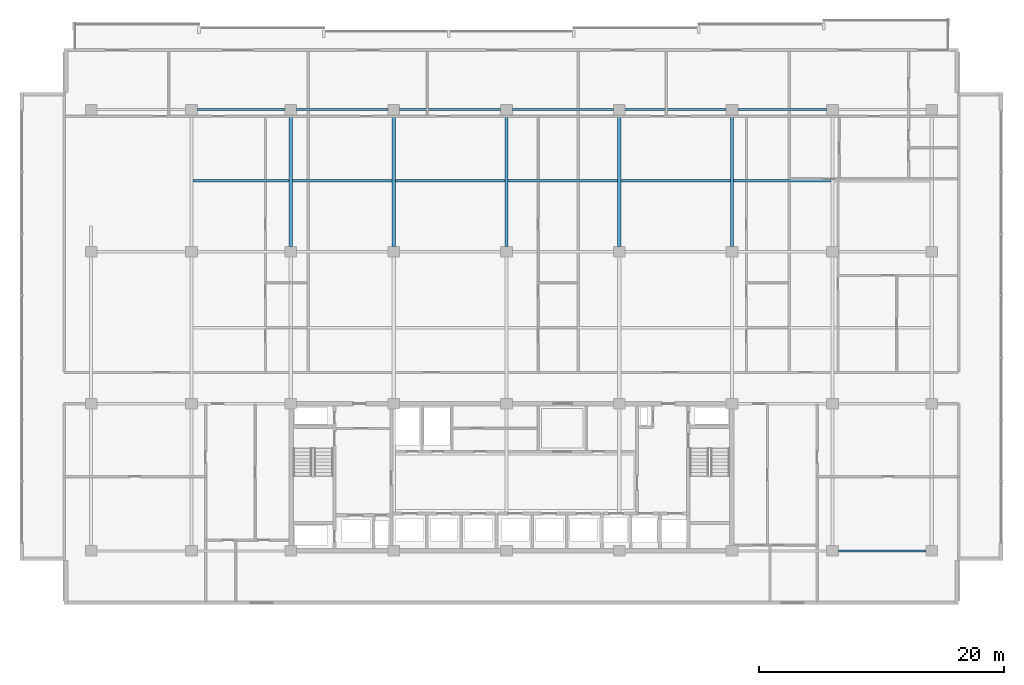
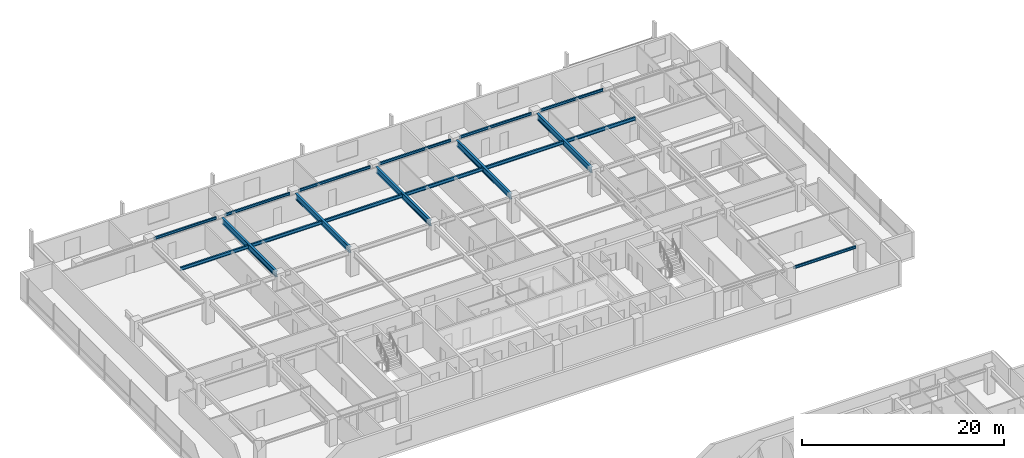
# One storey, part 15 of 38: 18 beams.
"""IFC4 building model written with IfcOpenShell, lengths in metres."""

from ifc_helpers import new_model, si_unit, direction, frame, origin, origin_2d, place, context, subcontext, project, spatial, i_section, extrude, material, material_profile, profile_set, type_object, element, save


model = new_model("IFC4")

# Units and contexts
model_context = context("Model", 3, precision=1e-05, world=origin(), true_north=direction((0.0, 1.0)))
body_context = subcontext(model_context, "Body", "Model", "MODEL_VIEW")
ifc_project = project(units=[si_unit("LENGTHUNIT", "METRE"), si_unit("AREAUNIT", "SQUARE_METRE"), si_unit("VOLUMEUNIT", "CUBIC_METRE"), si_unit("PLANEANGLEUNIT", "RADIAN"), si_unit("MASSUNIT", "GRAM", prefix="KILO")], contexts=[model_context])

# Site, building, storey
site_placement = place(None, origin())
site = spatial("IfcSite", under=ifc_project, at=site_placement, CompositionType="ELEMENT")
building_placement = place(site_placement, origin())
building = spatial("IfcBuilding", under=site, at=building_placement, Name="Korimba Cascade Residences", CompositionType="ELEMENT")
storey_placement = place(building_placement, frame((0.0, 0.0, 93.800048828125)))
storey = spatial("IfcBuildingStorey", under=building, at=storey_placement, Name="L26", CompositionType="ELEMENT", Elevation=93.800048828125)

# Beams
ifc_material = material(Name="Steel S355", Category="steel")
ifc_material_profile_1 = material_profile(ifc_material, i_section(OverallWidth=0.165771484375, OverallDepth=0.306640625, WebThickness=0.006591796875, FlangeThickness=0.01171875, FilletRadius=0.0087890625, at=origin_2d()), Name="Steel S355")
ifc_profile_set_1 = profile_set([ifc_material_profile_1], Name="Steel S355")
beam_type_1 = type_object("IfcBeamType", Name="BM-STL-UB305", PredefinedType="SPANDREL", material=ifc_profile_set_1)
beam_1_placement = place(storey_placement, frame((120.77490234375, 55.199951171875, 2.816650390625), z_axis=(1.0, 0.0, 0.0), x_axis=(0.0, 1.0, 0.0)))
element("IfcBeam", 1, at=beam_1_placement, inside=storey, type_object=beam_type_1, Name="L26 T1 E-W Girder Y1 Bay 8", PredefinedType="SPANDREL", context=body_context, shape_type="SweptSolid", body=[
    extrude(i_section(OverallWidth=0.165771484375, OverallDepth=0.306640625, WebThickness=0.006591796875, FlangeThickness=0.01171875, FilletRadius=0.0087890625, at=origin_2d()), origin(), (0.0, 0.0, 1.0), 7.150146484375),
])
beam_2_placement = place(storey_placement, frame((68.47509765625, 91.199951171875, 2.816650390625), z_axis=(1.0, 0.0, 0.0), x_axis=(0.0, 1.0, 0.0)))
element("IfcBeam", 2, at=beam_2_placement, inside=storey, type_object=beam_type_1, Name="L26 T1 E-W Girder Y4 Bay 2", PredefinedType="SPANDREL", context=body_context, shape_type="SweptSolid", body=[
    extrude(i_section(OverallWidth=0.165771484375, OverallDepth=0.306640625, WebThickness=0.006591796875, FlangeThickness=0.01171875, FilletRadius=0.0087890625, at=origin_2d()), origin(), (0.0, 0.0, 1.0), 7.14990234375),
])
beam_3_placement = place(storey_placement, frame((76.574951171875, 91.199951171875, 2.816650390625), z_axis=(1.0, 0.0, 0.0), x_axis=(0.0, 1.0, 0.0)))
element("IfcBeam", 3, at=beam_3_placement, inside=storey, type_object=beam_type_1, Name="L26 T1 E-W Girder Y4 Bay 3", PredefinedType="SPANDREL", context=body_context, shape_type="SweptSolid", body=[
    extrude(i_section(OverallWidth=0.165771484375, OverallDepth=0.306640625, WebThickness=0.006591796875, FlangeThickness=0.01171875, FilletRadius=0.0087890625, at=origin_2d()), origin(), (0.0, 0.0, 1.0), 7.449951171875),
])
for number, where, z_axis, x_axis, name in (
    (4, (84.97509765625, 91.199951171875, 2.816650390625), (1.0, 0.0, 0.0), (0.0, 1.0, 0.0), "L26 T1 E-W Girder Y4 Bay 4"),
    (5, (94.175048828125, 91.199951171875, 2.816650390625), (1.0, 0.0, 0.0), (0.0, 1.0, 0.0), "L26 T1 E-W Girder Y4 Bay 5"),
    (6, (103.375, 91.199951171875, 2.816650390625), (1.0, 0.0, 0.0), (0.0, 1.0, 0.0), "L26 T1 E-W Girder Y4 Bay 6"),
):
    element("IfcBeam", number, at=place(storey_placement, frame(where, z_axis=z_axis, x_axis=x_axis)), inside=storey, type_object=beam_type_1, Name=name, PredefinedType="SPANDREL", context=body_context, shape_type="SweptSolid", body=[
        extrude(i_section(OverallWidth=0.165771484375, OverallDepth=0.306640625, WebThickness=0.006591796875, FlangeThickness=0.01171875, FilletRadius=0.0087890625, at=origin_2d()), origin(), (0.0, 0.0, 1.0), 8.25),
    ])
beam_4_placement = place(storey_placement, frame((112.574951171875, 91.199951171875, 2.816650390625), z_axis=(1.0, 0.0, 0.0), x_axis=(0.0, 1.0, 0.0)))
element("IfcBeam", 7, at=beam_4_placement, inside=storey, type_object=beam_type_1, Name="L26 T1 E-W Girder Y4 Bay 7", PredefinedType="SPANDREL", context=body_context, shape_type="SweptSolid", body=[
    extrude(i_section(OverallWidth=0.165771484375, OverallDepth=0.306640625, WebThickness=0.006591796875, FlangeThickness=0.01171875, FilletRadius=0.0087890625, at=origin_2d()), origin(), (0.0, 0.0, 1.0), 7.25),
])
ifc_material_profile_2 = material_profile(ifc_material, i_section(OverallWidth=0.1787109375, OverallDepth=0.409423828125, WebThickness=0.0087890625, FlangeThickness=0.014404296875, FilletRadius=0.01025390625, at=origin_2d()), Name="Steel S355")
ifc_profile_set_2 = profile_set([ifc_material_profile_2], Name="Steel S355")
beam_type_2 = type_object("IfcBeamType", Name="BM-STL-UB406", PredefinedType="JOIST", material=ifc_profile_set_2)
beam_5_placement = place(storey_placement, frame((68.1279296875, 85.39990234375, 2.76513671875), z_axis=(1.0, 0.0, 0.0), x_axis=(0.0, 1.0, 0.0)))
element("IfcBeam", 8, at=beam_5_placement, inside=storey, type_object=beam_type_2, Name="L26 T1 Floor Joist 2.2", PredefinedType="JOIST", context=body_context, shape_type="SweptSolid", body=[
    extrude(i_section(OverallWidth=0.1787109375, OverallDepth=0.409423828125, WebThickness=0.0087890625, FlangeThickness=0.014404296875, FilletRadius=0.01025390625, at=origin_2d()), origin(), (0.0, 0.0, 1.0), 7.84423828125),
])
beam_6_placement = place(storey_placement, frame((76.227783203125, 85.39990234375, 2.76513671875), z_axis=(1.0, 0.0, 0.0), x_axis=(0.0, 1.0, 0.0)))
element("IfcBeam", 9, at=beam_6_placement, inside=storey, type_object=beam_type_2, Name="L26 T1 Floor Joist 2.3", PredefinedType="JOIST", context=body_context, shape_type="SweptSolid", body=[
    extrude(i_section(OverallWidth=0.1787109375, OverallDepth=0.409423828125, WebThickness=0.0087890625, FlangeThickness=0.014404296875, FilletRadius=0.01025390625, at=origin_2d()), origin(), (0.0, 0.0, 1.0), 8.144287109375),
])
beam_7_placement = place(storey_placement, frame((84.6279296875, 85.39990234375, 2.76513671875), z_axis=(1.0, 0.0, 0.0), x_axis=(0.0, 1.0, 0.0)))
element("IfcBeam", 10, at=beam_7_placement, inside=storey, type_object=beam_type_2, Name="L26 T1 Floor Joist 2.4", PredefinedType="JOIST", context=body_context, shape_type="SweptSolid", body=[
    extrude(i_section(OverallWidth=0.1787109375, OverallDepth=0.409423828125, WebThickness=0.0087890625, FlangeThickness=0.014404296875, FilletRadius=0.01025390625, at=origin_2d()), origin(), (0.0, 0.0, 1.0), 8.944091796875),
])
for number, where, z_axis, x_axis, name in (
    (11, (93.827880859375, 85.39990234375, 2.76513671875), (1.0, 0.0, 0.0), (0.0, 1.0, 0.0), "L26 T1 Floor Joist 2.5"),
    (12, (103.02783203125, 85.39990234375, 2.76513671875), (1.0, 0.0, 0.0), (0.0, 1.0, 0.0), "L26 T1 Floor Joist 2.6"),
):
    element("IfcBeam", number, at=place(storey_placement, frame(where, z_axis=z_axis, x_axis=x_axis)), inside=storey, type_object=beam_type_2, Name=name, PredefinedType="JOIST", context=body_context, shape_type="SweptSolid", body=[
        extrude(i_section(OverallWidth=0.1787109375, OverallDepth=0.409423828125, WebThickness=0.0087890625, FlangeThickness=0.014404296875, FilletRadius=0.01025390625, at=origin_2d()), origin(), (0.0, 0.0, 1.0), 8.9443359375),
    ])
beam_8_placement = place(storey_placement, frame((112.227783203125, 85.39990234375, 2.76513671875), z_axis=(1.0, 0.0, 0.0), x_axis=(0.0, 1.0, 0.0)))
element("IfcBeam", 13, at=beam_8_placement, inside=storey, type_object=beam_type_2, Name="L26 T1 Floor Joist 2.7", PredefinedType="JOIST", context=body_context, shape_type="SweptSolid", body=[
    extrude(i_section(OverallWidth=0.1787109375, OverallDepth=0.409423828125, WebThickness=0.0087890625, FlangeThickness=0.014404296875, FilletRadius=0.01025390625, at=origin_2d()), origin(), (0.0, 0.0, 1.0), 7.9443359375),
])
ifc_material_profile_3 = material_profile(ifc_material, i_section(OverallWidth=0.255859375, OverallDepth=0.69287109375, WebThickness=0.014404296875, FlangeThickness=0.023681640625, FilletRadius=0.01513671875, at=origin_2d()), Name="Steel S355")
ifc_profile_set_3 = profile_set([ifc_material_profile_3], Name="Steel S355")
beam_type_3 = type_object("IfcBeamType", Name="BM-STL-UB686", PredefinedType="BEAM", material=ifc_profile_set_3)
for number, where, z_axis, x_axis, name in (
    (14, (76.10009765625, 80.02490234375, 2.62353515625), (0.0, 1.0, 0.0), (-1.0, 0.0, 0.0), "L26 T1 N-S Girder X3 Seg 3"),
    (15, (84.5, 80.02490234375, 2.62353515625), (0.0, 1.0, 0.0), (-1.0, 0.0, 0.0), "L26 T1 N-S Girder X4 Seg 3"),
    (16, (93.699951171875, 80.02490234375, 2.62353515625), (0.0, 1.0, 0.0), (-1.0, 0.0, 0.0), "L26 T1 N-S Girder X5 Seg 3"),
    (17, (102.89990234375, 80.02490234375, 2.62353515625), (0.0, 1.0, 0.0), (-1.0, 0.0, 0.0), "L26 T1 N-S Girder X6 Seg 3"),
    (18, (112.10009765625, 80.02490234375, 2.62353515625), (0.0, 1.0, 0.0), (-1.0, 0.0, 0.0), "L26 T1 N-S Girder X7 Seg 3"),
):
    element("IfcBeam", number, at=place(storey_placement, frame(where, z_axis=z_axis, x_axis=x_axis)), inside=storey, type_object=beam_type_3, Name=name, PredefinedType="BEAM", context=body_context, shape_type="SweptSolid", body=[
        extrude(i_section(OverallWidth=0.255859375, OverallDepth=0.69287109375, WebThickness=0.014404296875, FlangeThickness=0.023681640625, FilletRadius=0.01513671875, at=origin_2d()), origin(), (0.0, 0.0, 1.0), 10.75),
    ])

save(model, "model.ifc")
